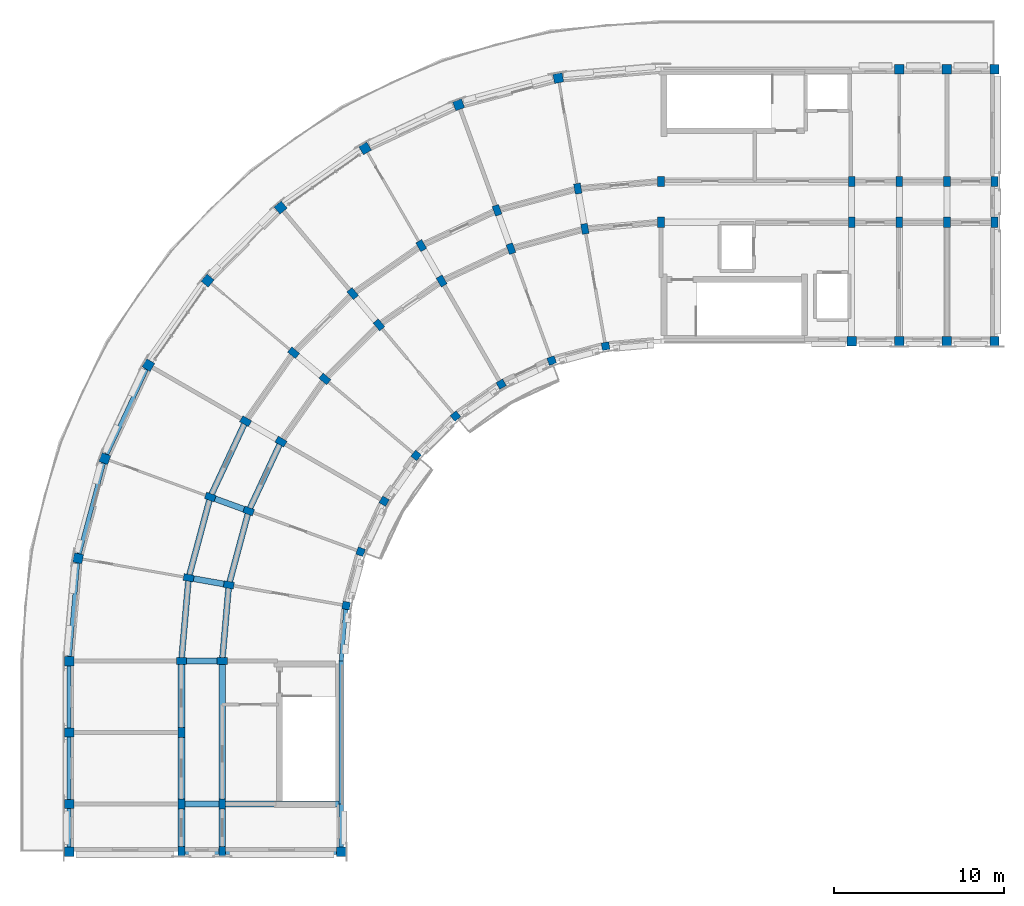
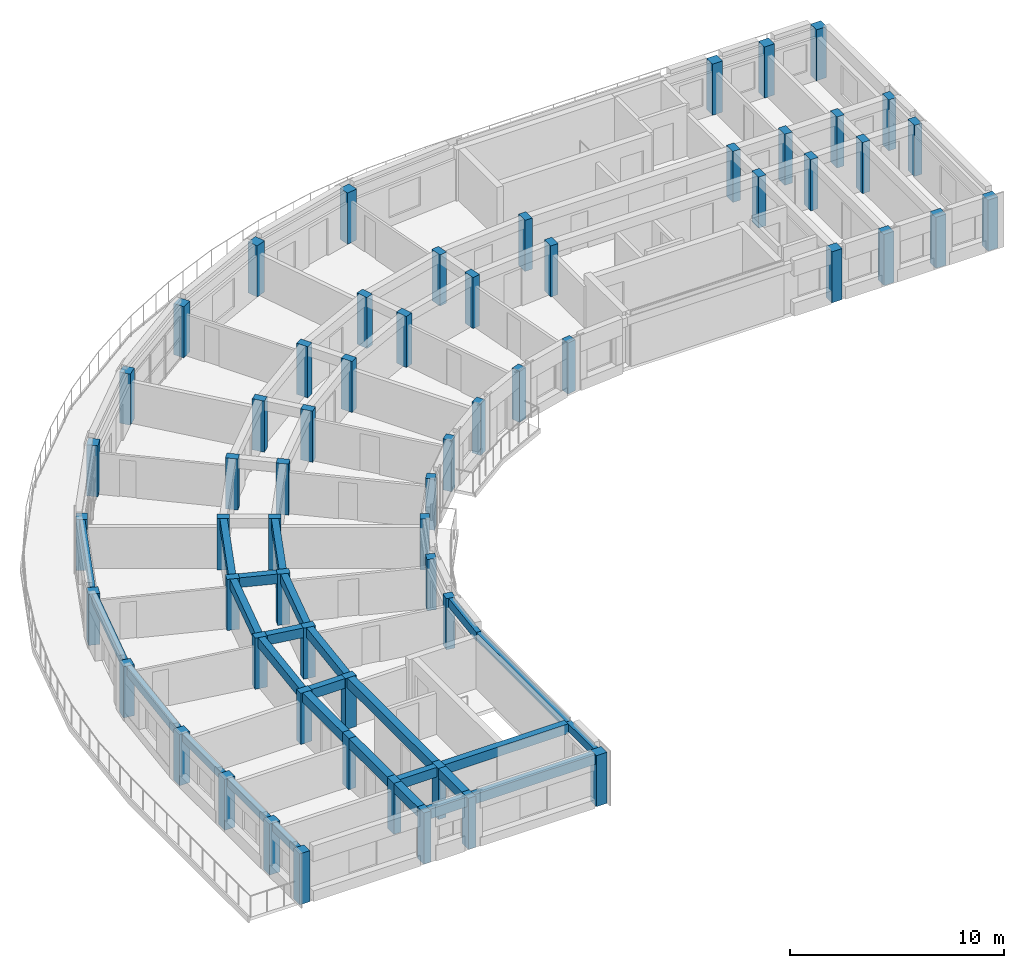
# One storey, part 1 of 14: 61 columns, 27 beams.
"""IFC4 building model written with IfcOpenShell, lengths in metres."""

from ifc_helpers import new_model, si_unit, direction, frame, origin, origin_2d, place, context, subcontext, project, spatial, rectangle, extrude, material, material_profile, profile_set, type_object, element, save


model = new_model("IFC4")

# Units and contexts
model_context = context("Model", 3, precision=1e-05, world=origin(), true_north=direction((0.0, 1.0)))
body_context = subcontext(model_context, "Body", "Model", "MODEL_VIEW")
ifc_project = project(units=[si_unit("LENGTHUNIT", "METRE"), si_unit("AREAUNIT", "SQUARE_METRE"), si_unit("VOLUMEUNIT", "CUBIC_METRE"), si_unit("PLANEANGLEUNIT", "RADIAN"), si_unit("MASSUNIT", "GRAM", prefix="KILO")], contexts=[model_context])

# Site, building, storey
site_placement = place(None, origin())
site = spatial("IfcSite", under=ifc_project, at=site_placement, CompositionType="ELEMENT")
building_placement = place(site_placement, origin())
building = spatial("IfcBuilding", under=site, at=building_placement, Name="Kiranvali Square Residences", CompositionType="ELEMENT")
storey_placement = place(building_placement, frame((0.0, 0.0, 49.64990234375)))
storey = spatial("IfcBuildingStorey", under=building, at=storey_placement, Name="L15", CompositionType="ELEMENT", Elevation=49.64990234375)

# Columns
ifc_material_1 = material(Name="Concrete M40 (40 MPa)", Category="concrete")
ifc_material_profile_1 = material_profile(ifc_material_1, rectangle(XDim=0.449951171875, YDim=0.449951171875, at=origin_2d()), Name="RC 450x450")
ifc_profile_set_1 = profile_set([ifc_material_profile_1], Name="Concrete M40 (40 MPa)")
column_type_1 = type_object("IfcColumnType", Name="COL-M40-450", PredefinedType="COLUMN", material=ifc_profile_set_1)
for number, where, z_axis, x_axis, name in (
    (1, (44.935302734375, 106.314453125, 0.0), (0.0, 0.0, 1.0), (0.984807753012, 0.173648177667, 0.0), "Block A L15 radial column A01-R0"),
    (2, (41.77001953125, 105.46630859375, 0.0), (0.0, 0.0, 1.0), (0.939692620786, 0.342020143326, 0.0), "Block A L15 radial column A02-R0"),
    (3, (38.800048828125, 104.081298828125, 0.0), (0.0, 0.0, 1.0), (0.866025403784, 0.5, 0.0), "Block A L15 radial column A03-R0"),
    (4, (36.115478515625, 102.20166015625, 0.0), (0.0, 0.0, 1.0), (0.766044443119, 0.642787609687, 0.0), "Block A L15 radial column A04-R0"),
    (5, (33.79833984375, 99.884521484375, 0.0), (0.0, 0.0, 1.0), (0.642787609687, 0.766044443119, 0.0), "Block A L15 radial column A05-R0"),
    (6, (31.918701171875, 97.199951171875, 0.0), (0.0, 0.0, 1.0), (0.5, 0.866025403784, 0.0), "Block A L15 radial column A06-R0"),
    (7, (30.53369140625, 94.22998046875, 0.0), (0.0, 0.0, 1.0), (0.342020143326, 0.939692620786, 0.0), "Block A L15 radial column A07-R0"),
    (8, (29.685546875, 91.064697265625, 0.0), (0.0, 0.0, 1.0), (0.173648177667, 0.984807753012, 0.0), "Block A L15 radial column A08-R0"),
):
    element("IfcColumn", number, at=place(storey_placement, frame(where, z_axis=z_axis, x_axis=x_axis)), inside=storey, type_object=column_type_1, Name=name, PredefinedType="COLUMN", context=body_context, shape_type="SweptSolid", body=[
        extrude(rectangle(XDim=0.449951171875, YDim=0.449951171875, at=origin_2d()), origin(), (0.0, 0.0, 1.0), 2.91015625),
    ])
ifc_material_profile_2 = material_profile(ifc_material_1, rectangle(XDim=0.550048828125, YDim=0.550048828125, at=origin_2d()), Name="RC 550x550")
ifc_profile_set_2 = profile_set([ifc_material_profile_2], Name="Concrete M40 (40 MPa)")
column_type_2 = type_object("IfcColumnType", Name="COL-M40-550", PredefinedType="COLUMN", material=ifc_profile_set_2)
for number, where, z_axis, x_axis, name in (
    (9, (42.156982421875, 122.0712890625, 0.0), (0.0, 0.0, 1.0), (0.984807753012, 0.173648177667, 0.0), "Block A L15 radial column A01-R3"),
    (10, (36.297607421875, 120.501220703125, 0.0), (0.0, 0.0, 1.0), (0.939692620786, 0.342020143326, 0.0), "Block A L15 radial column A02-R3"),
    (11, (30.800048828125, 117.937744140625, 0.0), (0.0, 0.0, 1.0), (0.866025403784, 0.5, 0.0), "Block A L15 radial column A03-R3"),
    (12, (25.8310546875, 114.458251953125, 0.0), (0.0, 0.0, 1.0), (0.766044443119, 0.642787609687, 0.0), "Block A L15 radial column A04-R3"),
    (13, (21.541748046875, 110.1689453125, 0.0), (0.0, 0.0, 1.0), (0.642787609687, 0.766044443119, 0.0), "Block A L15 radial column A05-R3"),
    (14, (18.062255859375, 105.199951171875, 0.0), (0.0, 0.0, 1.0), (0.5, 0.866025403784, 0.0), "Block A L15 radial column A06-R3"),
    (15, (15.498779296875, 99.702392578125, 0.0), (0.0, 0.0, 1.0), (0.342020143326, 0.939692620786, 0.0), "Block A L15 radial column A07-R3"),
    (16, (13.9287109375, 93.843017578125, 0.0), (0.0, 0.0, 1.0), (0.173648177667, 0.984807753012, 0.0), "Block A L15 radial column A08-R3"),
    (17, (13.39990234375, 87.800048828125, 0.0), (0.0, 0.0, 1.0), (0.0, 1.0, 0.0), "Block A L15 radial column A09-R3"),
    (18, (59.39990234375, 106.60009765625, 0.0), (0.0, 0.0, 1.0), (1.0, 0.0, 0.0), "Block A L15 Arm 1 column U1-R0"),
    (19, (62.199951171875, 106.60009765625, 0.0), (0.0, 0.0, 1.0), (1.0, 0.0, 0.0), "Block A L15 Arm 1 column U2-R0"),
    (20, (62.199951171875, 122.60009765625, 0.0), (0.0, 0.0, 1.0), (1.0, 0.0, 0.0), "Block A L15 Arm 1 column U2-R3"),
    (21, (65.0, 106.60009765625, 0.0), (0.0, 0.0, 1.0), (1.0, 0.0, 0.0), "Block A L15 Arm 1 column U3-R0"),
    (22, (65.0, 122.60009765625, 0.0), (0.0, 0.0, 1.0), (1.0, 0.0, 0.0), "Block A L15 Arm 1 column U3-R3"),
    (23, (67.800048828125, 106.60009765625, 0.0), (0.0, 0.0, 1.0), (1.0, 0.0, 0.0), "Block A L15 Arm 1 column U4-R0"),
    (24, (67.800048828125, 122.60009765625, 0.0), (0.0, 0.0, 1.0), (1.0, 0.0, 0.0), "Block A L15 Arm 1 column U4-R3"),
    (25, (13.39990234375, 83.60009765625, 0.0), (0.0, 0.0, 1.0), (1.0, 0.0, 0.0), "Block A L15 Arm 2 mid-core column V0-R3"),
    (26, (13.39990234375, 79.39990234375, 0.0), (0.0, 0.0, 1.0), (1.0, 0.0, 0.0), "Block A L15 Arm 2 column V1-R3"),
    (27, (29.39990234375, 76.60009765625, 0.0), (0.0, 0.0, 1.0), (1.0, 0.0, 0.0), "Block A L15 Arm 2 column V2-R0"),
    (28, (13.39990234375, 76.60009765625, 0.0), (0.0, 0.0, 1.0), (1.0, 0.0, 0.0), "Block A L15 Arm 2 column V2-R3"),
):
    element("IfcColumn", number, at=place(storey_placement, frame(where, z_axis=z_axis, x_axis=x_axis)), inside=storey, type_object=column_type_2, Name=name, PredefinedType="COLUMN", context=body_context, shape_type="SweptSolid", body=[
        extrude(rectangle(XDim=0.550048828125, YDim=0.550048828125, at=origin_2d()), origin(), (0.0, 0.0, 1.0), 2.91015625),
    ])
ifc_material_profile_3 = material_profile(ifc_material_1, rectangle(XDim=0.39990234375, YDim=0.60009765625, at=origin_2d()), Name="RC 600x400")
ifc_profile_set_3 = profile_set([ifc_material_profile_3], Name="Concrete M40 (40 MPa)")
column_type_3 = type_object("IfcColumnType", Name="COL-M40-600x400", PredefinedType="COLUMN", material=ifc_profile_set_3)
for number, where, z_axis, x_axis, name in (
    (29, (48.199951171875, 113.60009765625, 0.0), (0.0, 0.0, 1.0), (1.0, 0.0, 0.0), "Block A L15 radial column A00-R1"),
    (30, (48.199951171875, 116.0, 0.0), (0.0, 0.0, 1.0), (1.0, 0.0, 0.0), "Block A L15 radial column A00-R2"),
    (31, (43.719970703125, 113.2080078125, 0.0), (0.0, 0.0, 1.0), (0.984807753012, 0.173648177667, 0.0), "Block A L15 radial column A01-R1"),
    (32, (43.30322265625, 115.571533203125, 0.0), (0.0, 0.0, 1.0), (0.984807753012, 0.173648177667, 0.0), "Block A L15 radial column A01-R2"),
    (33, (39.3759765625, 112.044189453125, 0.0), (0.0, 0.0, 1.0), (0.939692620786, 0.342020143326, 0.0), "Block A L15 radial column A02-R1"),
    (34, (38.554931640625, 114.29931640625, 0.0), (0.0, 0.0, 1.0), (0.939692620786, 0.342020143326, 0.0), "Block A L15 radial column A02-R2"),
    (35, (35.300048828125, 110.1435546875, 0.0), (0.0, 0.0, 1.0), (0.866025403784, 0.5, 0.0), "Block A L15 radial column A03-R1"),
    (36, (34.10009765625, 112.221923828125, 0.0), (0.0, 0.0, 1.0), (0.866025403784, 0.5, 0.0), "Block A L15 radial column A03-R2"),
    (37, (31.615966796875, 107.56396484375, 0.0), (0.0, 0.0, 1.0), (0.766044443119, 0.642787609687, 0.0), "Block A L15 radial column A04-R1"),
    (38, (30.073486328125, 109.40234375, 0.0), (0.0, 0.0, 1.0), (0.766044443119, 0.642787609687, 0.0), "Block A L15 radial column A04-R2"),
    (39, (28.43603515625, 104.384033203125, 0.0), (0.0, 0.0, 1.0), (0.642787609687, 0.766044443119, 0.0), "Block A L15 radial column A05-R1"),
    (40, (26.59765625, 105.926513671875, 0.0), (0.0, 0.0, 1.0), (0.642787609687, 0.766044443119, 0.0), "Block A L15 radial column A05-R2"),
    (41, (25.8564453125, 100.699951171875, 0.0), (0.0, 0.0, 1.0), (0.5, 0.866025403784, 0.0), "Block A L15 radial column A06-R1"),
    (42, (23.778076171875, 101.89990234375, 0.0), (0.0, 0.0, 1.0), (0.5, 0.866025403784, 0.0), "Block A L15 radial column A06-R2"),
    (43, (23.955810546875, 96.6240234375, 0.0), (0.0, 0.0, 1.0), (0.342020143326, 0.939692620786, 0.0), "Block A L15 radial column A07-R1"),
    (44, (21.70068359375, 97.445068359375, 0.0), (0.0, 0.0, 1.0), (0.342020143326, 0.939692620786, 0.0), "Block A L15 radial column A07-R2"),
    (45, (22.7919921875, 92.280029296875, 0.0), (0.0, 0.0, 1.0), (0.173648177667, 0.984807753012, 0.0), "Block A L15 radial column A08-R1"),
    (46, (20.428466796875, 92.69677734375, 0.0), (0.0, 0.0, 1.0), (0.173648177667, 0.984807753012, 0.0), "Block A L15 radial column A08-R2"),
    (47, (22.39990234375, 87.800048828125, 0.0), (0.0, 0.0, 1.0), (0.0, 1.0, 0.0), "Block A L15 radial column A09-R1"),
    (48, (20.0, 87.800048828125, 0.0), (0.0, 0.0, 1.0), (0.0, 1.0, 0.0), "Block A L15 radial column A09-R2"),
    (49, (59.39990234375, 113.60009765625, 0.0), (0.0, 0.0, 1.0), (1.0, 0.0, 0.0), "Block A L15 Arm 1 column U1-R1"),
    (50, (59.39990234375, 116.0, 0.0), (0.0, 0.0, 1.0), (1.0, 0.0, 0.0), "Block A L15 Arm 1 column U1-R2"),
    (51, (62.199951171875, 113.60009765625, 0.0), (0.0, 0.0, 1.0), (1.0, 0.0, 0.0), "Block A L15 Arm 1 column U2-R1"),
    (52, (62.199951171875, 116.0, 0.0), (0.0, 0.0, 1.0), (1.0, 0.0, 0.0), "Block A L15 Arm 1 column U2-R2"),
    (53, (65.0, 113.60009765625, 0.0), (0.0, 0.0, 1.0), (1.0, 0.0, 0.0), "Block A L15 Arm 1 column U3-R1"),
    (54, (65.0, 116.0, 0.0), (0.0, 0.0, 1.0), (1.0, 0.0, 0.0), "Block A L15 Arm 1 column U3-R2"),
    (55, (67.800048828125, 113.60009765625, 0.0), (0.0, 0.0, 1.0), (1.0, 0.0, 0.0), "Block A L15 Arm 1 column U4-R1"),
    (56, (67.800048828125, 116.0, 0.0), (0.0, 0.0, 1.0), (1.0, 0.0, 0.0), "Block A L15 Arm 1 column U4-R2"),
    (57, (20.0, 83.60009765625, 0.0), (0.0, 0.0, 1.0), (1.0, 0.0, 0.0), "Block A L15 Arm 2 mid-core column V0-R2"),
    (58, (22.39990234375, 79.39990234375, 0.0), (0.0, 0.0, 1.0), (1.0, 0.0, 0.0), "Block A L15 Arm 2 column V1-R1"),
    (59, (20.0, 79.39990234375, 0.0), (0.0, 0.0, 1.0), (1.0, 0.0, 0.0), "Block A L15 Arm 2 column V1-R2"),
    (60, (22.39990234375, 76.60009765625, 0.0), (0.0, 0.0, 1.0), (1.0, 0.0, 0.0), "Block A L15 Arm 2 column V2-R1"),
    (61, (20.0, 76.60009765625, 0.0), (0.0, 0.0, 1.0), (1.0, 0.0, 0.0), "Block A L15 Arm 2 column V2-R2"),
):
    element("IfcColumn", number, at=place(storey_placement, frame(where, z_axis=z_axis, x_axis=x_axis)), inside=storey, type_object=column_type_3, Name=name, PredefinedType="COLUMN", context=body_context, shape_type="SweptSolid", body=[
        extrude(rectangle(XDim=0.39990234375, YDim=0.60009765625, at=origin_2d()), origin(), (0.0, 0.0, 1.0), 2.91015625),
    ])

# Beams
ifc_material_profile_4 = material_profile(ifc_material_1, rectangle(XDim=0.35009765625, YDim=0.550048828125, at=origin_2d()), Name="RC 350x550")
ifc_profile_set_4 = profile_set([ifc_material_profile_4], Name="Concrete M40 (40 MPa)")
beam_type_1 = type_object("IfcBeamType", Name="BM-M40-350x550", PredefinedType="BEAM", material=ifc_profile_set_4)
beam_1_placement = place(storey_placement, frame((25.8564453125, 100.699951171875, 2.635009765625), z_axis=(-0.422617978463, -0.906307919131, 0.0), x_axis=(0.906307919131, -0.422617978463, 0.0)))
element("IfcBeam", 62, at=beam_1_placement, inside=storey, type_object=beam_type_1, Name="L15 beam BM-A-L15-C06-R1", PredefinedType="BEAM", context=body_context, shape_type="SweptSolid", body=[
    extrude(rectangle(XDim=0.35009765625, YDim=0.550048828125, at=origin_2d()), origin(), (0.0, 0.0, 1.0), 4.497314453125),
])
beam_2_placement = place(storey_placement, frame((23.778076171875, 101.89990234375, 2.635009765625), z_axis=(-0.422629854778, -0.906302381024, 0.0), x_axis=(0.906302381024, -0.422629854778, 0.0)))
element("IfcBeam", 63, at=beam_2_placement, inside=storey, type_object=beam_type_1, Name="L15 beam BM-A-L15-C06-R2", PredefinedType="BEAM", context=body_context, shape_type="SweptSolid", body=[
    extrude(rectangle(XDim=0.35009765625, YDim=0.550048828125, at=origin_2d()), origin(), (0.0, 0.0, 1.0), 4.915283203125),
])
beam_3_placement = place(storey_placement, frame((23.955810546875, 96.6240234375, 2.635009765625), z_axis=(-0.258787642463, -0.965934240054, 0.0), x_axis=(0.965934240054, -0.258787642463, 0.0)))
element("IfcBeam", 64, at=beam_3_placement, inside=storey, type_object=beam_type_1, Name="L15 beam BM-A-L15-C07-R1", PredefinedType="BEAM", context=body_context, shape_type="SweptSolid", body=[
    extrude(rectangle(XDim=0.35009765625, YDim=0.550048828125, at=origin_2d()), origin(), (0.0, 0.0, 1.0), 4.497314453125),
])
beam_4_placement = place(storey_placement, frame((21.70068359375, 97.445068359375, 2.635009765625), z_axis=(-0.258803112091, -0.965930095386, 0.0), x_axis=(0.965930095386, -0.258803112091, 0.0)))
element("IfcBeam", 65, at=beam_4_placement, inside=storey, type_object=beam_type_1, Name="L15 beam BM-A-L15-C07-R2", PredefinedType="BEAM", context=body_context, shape_type="SweptSolid", body=[
    extrude(rectangle(XDim=0.35009765625, YDim=0.550048828125, at=origin_2d()), origin(), (0.0, 0.0, 1.0), 4.915771484375),
])
beam_5_placement = place(storey_placement, frame((22.7919921875, 92.280029296875, 2.635009765625), z_axis=(-0.087187153726, -0.996191949488, 0.0), x_axis=(0.996191949488, -0.087187153726, 0.0)))
element("IfcBeam", 66, at=beam_5_placement, inside=storey, type_object=beam_type_1, Name="L15 beam BM-A-L15-C08-R1", PredefinedType="BEAM", context=body_context, shape_type="SweptSolid", body=[
    extrude(rectangle(XDim=0.35009765625, YDim=0.550048828125, at=origin_2d()), origin(), (0.0, 0.0, 1.0), 4.4970703125),
])
beam_6_placement = place(storey_placement, frame((20.428466796875, 92.69677734375, 2.635009765625), z_axis=(-0.087167566415, -0.996193663584, 0.0), x_axis=(0.996193663584, -0.087167566415, 0.0)))
element("IfcBeam", 67, at=beam_6_placement, inside=storey, type_object=beam_type_1, Name="L15 beam BM-A-L15-C08-R2", PredefinedType="BEAM", context=body_context, shape_type="SweptSolid", body=[
    extrude(rectangle(XDim=0.35009765625, YDim=0.550048828125, at=origin_2d()), origin(), (0.0, 0.0, 1.0), 4.91552734375),
])
for number, where, z_axis, x_axis, name in (
    (68, (23.955810546875, 96.6240234375, 2.635009765625), (-0.939659694648, 0.342110593602, 0.0), (-0.342110593602, -0.939659694648, 0.0), "L15 beam BM-A-L15-RAD07-12"),
    (69, (22.7919921875, 92.280029296875, 2.635009765625), (-0.984808127031, 0.173646056486, 0.0), (-0.173646056486, -0.984808127031, 0.0), "L15 beam BM-A-L15-RAD08-12"),
    (70, (22.39990234375, 87.800048828125, 2.635009765625), (-1.0, 0.0, 0.0), (0.0, -1.0, 0.0), "L15 beam BM-A-L15-A2T0-12"),
):
    element("IfcBeam", number, at=place(storey_placement, frame(where, z_axis=z_axis, x_axis=x_axis)), inside=storey, type_object=beam_type_1, Name=name, PredefinedType="BEAM", context=body_context, shape_type="SweptSolid", body=[
        extrude(rectangle(XDim=0.35009765625, YDim=0.550048828125, at=origin_2d()), origin(), (0.0, 0.0, 1.0), 2.39990234375),
    ])
beam_7_placement = place(storey_placement, frame((29.39990234375, 79.39990234375, 2.635009765625), z_axis=(-1.0, 0.0, 0.0), x_axis=(0.0, -1.0, 0.0)))
element("IfcBeam", 71, at=beam_7_placement, inside=storey, type_object=beam_type_1, Name="L15 beam BM-A-L15-A2T1-01", PredefinedType="BEAM", context=body_context, shape_type="SweptSolid", body=[
    extrude(rectangle(XDim=0.35009765625, YDim=0.550048828125, at=origin_2d()), origin(), (0.0, 0.0, 1.0), 7.0),
])
beam_8_placement = place(storey_placement, frame((22.39990234375, 79.39990234375, 2.635009765625), z_axis=(-1.0, 0.0, 0.0), x_axis=(0.0, -1.0, 0.0)))
element("IfcBeam", 72, at=beam_8_placement, inside=storey, type_object=beam_type_1, Name="L15 beam BM-A-L15-A2T1-12", PredefinedType="BEAM", context=body_context, shape_type="SweptSolid", body=[
    extrude(rectangle(XDim=0.35009765625, YDim=0.550048828125, at=origin_2d()), origin(), (0.0, 0.0, 1.0), 2.39990234375),
])
beam_9_placement = place(storey_placement, frame((29.39990234375, 76.60009765625, 2.635009765625), z_axis=(-1.0, 0.0, 0.0), x_axis=(0.0, -1.0, 0.0)))
element("IfcBeam", 73, at=beam_9_placement, inside=storey, type_object=beam_type_1, Name="L15 beam BM-A-L15-A2T2-01", PredefinedType="BEAM", context=body_context, shape_type="SweptSolid", body=[
    extrude(rectangle(XDim=0.35009765625, YDim=0.550048828125, at=origin_2d()), origin(), (0.0, 0.0, 1.0), 7.0),
])
beam_10_placement = place(storey_placement, frame((22.39990234375, 76.60009765625, 2.635009765625), z_axis=(-1.0, 0.0, 0.0), x_axis=(0.0, -1.0, 0.0)))
element("IfcBeam", 74, at=beam_10_placement, inside=storey, type_object=beam_type_1, Name="L15 beam BM-A-L15-A2T2-12", PredefinedType="BEAM", context=body_context, shape_type="SweptSolid", body=[
    extrude(rectangle(XDim=0.35009765625, YDim=0.550048828125, at=origin_2d()), origin(), (0.0, 0.0, 1.0), 2.39990234375),
])
ifc_material_2 = material(Name="Concrete M45 (45 MPa)", Category="concrete")
ifc_material_profile_5 = material_profile(ifc_material_2, rectangle(XDim=0.39990234375, YDim=0.550048828125, at=origin_2d()), Name="RC 400x550")
ifc_profile_set_5 = profile_set([ifc_material_profile_5], Name="Concrete M45 (45 MPa)")
beam_type_2 = type_object("IfcBeamType", Name="BM-M45-400x550", PredefinedType="BEAM", material=ifc_profile_set_5)
beam_11_placement = place(storey_placement, frame((22.39990234375, 87.800048828125, 2.635009765625), z_axis=(0.0, -1.0, 0.0), x_axis=(1.0, 0.0, 0.0)))
element("IfcBeam", 75, at=beam_11_placement, inside=storey, type_object=beam_type_2, Name="L15 beam BM-A-L15-A2V0-R1", PredefinedType="BEAM", context=body_context, shape_type="SweptSolid", body=[
    extrude(rectangle(XDim=0.39990234375, YDim=0.550048828125, at=origin_2d()), origin(), (0.0, 0.0, 1.0), 8.400146484375),
])
beam_12_placement = place(storey_placement, frame((22.39990234375, 79.39990234375, 2.635009765625), z_axis=(0.0, -1.0, 0.0), x_axis=(1.0, 0.0, 0.0)))
element("IfcBeam", 76, at=beam_12_placement, inside=storey, type_object=beam_type_2, Name="L15 beam BM-A-L15-A2V1-R1", PredefinedType="BEAM", context=body_context, shape_type="SweptSolid", body=[
    extrude(rectangle(XDim=0.39990234375, YDim=0.550048828125, at=origin_2d()), origin(), (0.0, 0.0, 1.0), 2.7998046875),
])
beam_13_placement = place(storey_placement, frame((20.0, 87.800048828125, 2.635009765625), z_axis=(0.0, -1.0, 0.0), x_axis=(1.0, 0.0, 0.0)))
element("IfcBeam", 77, at=beam_13_placement, inside=storey, type_object=beam_type_2, Name="L15 beam BM-A-L15-A2V0-R2", PredefinedType="BEAM", context=body_context, shape_type="SweptSolid", body=[
    extrude(rectangle(XDim=0.39990234375, YDim=0.550048828125, at=origin_2d()), origin(), (0.0, 0.0, 1.0), 4.199951171875),
])
beam_14_placement = place(storey_placement, frame((20.0, 83.60009765625, 2.635009765625), z_axis=(0.0, -1.0, 0.0), x_axis=(1.0, 0.0, 0.0)))
element("IfcBeam", 78, at=beam_14_placement, inside=storey, type_object=beam_type_2, Name="L15 beam BM-A-L15-A2V1-R2", PredefinedType="BEAM", context=body_context, shape_type="SweptSolid", body=[
    extrude(rectangle(XDim=0.39990234375, YDim=0.550048828125, at=origin_2d()), origin(), (0.0, 0.0, 1.0), 4.2001953125),
])
beam_15_placement = place(storey_placement, frame((20.0, 79.39990234375, 2.635009765625), z_axis=(0.0, -1.0, 0.0), x_axis=(1.0, 0.0, 0.0)))
element("IfcBeam", 79, at=beam_15_placement, inside=storey, type_object=beam_type_2, Name="L15 beam BM-A-L15-A2V2-R2", PredefinedType="BEAM", context=body_context, shape_type="SweptSolid", body=[
    extrude(rectangle(XDim=0.39990234375, YDim=0.550048828125, at=origin_2d()), origin(), (0.0, 0.0, 1.0), 2.7998046875),
])
ifc_material_profile_6 = material_profile(ifc_material_1, rectangle(XDim=0.25, YDim=0.449951171875, at=origin_2d()), Name="RC 250x450")
ifc_profile_set_6 = profile_set([ifc_material_profile_6], Name="Concrete M40 (40 MPa)")
beam_type_3 = type_object("IfcBeamType", Name="SPN-M40-250x450", PredefinedType="SPANDREL", material=ifc_profile_set_6)
beam_16_placement = place(storey_placement, frame((29.39990234375, 87.800048828125, 2.68505859375), z_axis=(0.0, -1.0, 0.0), x_axis=(1.0, 0.0, 0.0)))
element("IfcBeam", 80, at=beam_16_placement, inside=storey, type_object=beam_type_3, Name="L15 beam BM-A-L15-A2V0-R0", PredefinedType="SPANDREL", context=body_context, shape_type="SweptSolid", body=[
    extrude(rectangle(XDim=0.25, YDim=0.449951171875, at=origin_2d()), origin(), (0.0, 0.0, 1.0), 8.400146484375),
])
beam_17_placement = place(storey_placement, frame((29.39990234375, 79.39990234375, 2.68505859375), z_axis=(0.0, -1.0, 0.0), x_axis=(1.0, 0.0, 0.0)))
element("IfcBeam", 81, at=beam_17_placement, inside=storey, type_object=beam_type_3, Name="L15 beam BM-A-L15-A2V1-R0", PredefinedType="SPANDREL", context=body_context, shape_type="SweptSolid", body=[
    extrude(rectangle(XDim=0.25, YDim=0.449951171875, at=origin_2d()), origin(), (0.0, 0.0, 1.0), 2.7998046875),
])
beam_18_placement = place(storey_placement, frame((13.39990234375, 87.800048828125, 2.68505859375), z_axis=(0.0, -1.0, 0.0), x_axis=(1.0, 0.0, 0.0)))
element("IfcBeam", 82, at=beam_18_placement, inside=storey, type_object=beam_type_3, Name="L15 beam BM-A-L15-A2V0-R3", PredefinedType="SPANDREL", context=body_context, shape_type="SweptSolid", body=[
    extrude(rectangle(XDim=0.25, YDim=0.449951171875, at=origin_2d()), origin(), (0.0, 0.0, 1.0), 4.199951171875),
])
beam_19_placement = place(storey_placement, frame((13.39990234375, 83.60009765625, 2.68505859375), z_axis=(0.0, -1.0, 0.0), x_axis=(1.0, 0.0, 0.0)))
element("IfcBeam", 83, at=beam_19_placement, inside=storey, type_object=beam_type_3, Name="L15 beam BM-A-L15-A2V1-R3", PredefinedType="SPANDREL", context=body_context, shape_type="SweptSolid", body=[
    extrude(rectangle(XDim=0.25, YDim=0.449951171875, at=origin_2d()), origin(), (0.0, 0.0, 1.0), 4.2001953125),
])
beam_20_placement = place(storey_placement, frame((13.39990234375, 79.39990234375, 2.68505859375), z_axis=(0.0, -1.0, 0.0), x_axis=(1.0, 0.0, 0.0)))
element("IfcBeam", 84, at=beam_20_placement, inside=storey, type_object=beam_type_3, Name="L15 beam BM-A-L15-A2V2-R3", PredefinedType="SPANDREL", context=body_context, shape_type="SweptSolid", body=[
    extrude(rectangle(XDim=0.25, YDim=0.449951171875, at=origin_2d()), origin(), (0.0, 0.0, 1.0), 2.7998046875),
])
ifc_material_profile_7 = material_profile(ifc_material_1, rectangle(XDim=0.25, YDim=0.5, at=origin_2d()), Name="RC 250x500")
ifc_profile_set_7 = profile_set([ifc_material_profile_7], Name="Concrete M40 (40 MPa)")
beam_type_4 = type_object("IfcBeamType", Name="SPN-M40-250x500", PredefinedType="SPANDREL", material=ifc_profile_set_7)
beam_21_placement = place(storey_placement, frame((29.685546875, 91.064697265625, 2.66015625), z_axis=(-0.087163253657, -0.996194040944, 0.0), x_axis=(0.996194040944, -0.087163253657, 0.0)))
element("IfcBeam", 85, at=beam_21_placement, inside=storey, type_object=beam_type_4, Name="L15 beam BM-A-L15-C08-R0", PredefinedType="SPANDREL", context=body_context, shape_type="SweptSolid", body=[
    extrude(rectangle(XDim=0.25, YDim=0.5, at=origin_2d()), origin(), (0.0, 0.0, 1.0), 3.277099609375),
])
ifc_material_profile_8 = material_profile(ifc_material_1, rectangle(XDim=0.25, YDim=0.550048828125, at=origin_2d()), Name="RC 250x550")
ifc_profile_set_8 = profile_set([ifc_material_profile_8], Name="Concrete M40 (40 MPa)")
beam_type_5 = type_object("IfcBeamType", Name="SPN-M40-250x550", PredefinedType="SPANDREL", material=ifc_profile_set_8)
beam_22_placement = place(storey_placement, frame((18.062255859375, 105.199951171875, 2.635009765625), z_axis=(-0.42260781991, -0.906312656069, 0.0), x_axis=(0.906312656069, -0.42260781991, 0.0)))
element("IfcBeam", 86, at=beam_22_placement, inside=storey, type_object=beam_type_5, Name="L15 beam BM-A-L15-C06-R3", PredefinedType="SPANDREL", context=body_context, shape_type="SweptSolid", body=[
    extrude(rectangle(XDim=0.25, YDim=0.550048828125, at=origin_2d()), origin(), (0.0, 0.0, 1.0), 6.06591796875),
])
for number, where, z_axis, x_axis, name in (
    (87, (15.498779296875, 99.702392578125, 2.635009765625), (-0.258827283048, -0.965923618901, 0.0), (0.965923618901, -0.258827283048, 0.0), "L15 beam BM-A-L15-C07-R3"),
    (88, (13.9287109375, 93.843017578125, 2.635009765625), (-0.087174938512, -0.996193018494, 0.0), (0.996193018494, -0.087174938512, 0.0), "L15 beam BM-A-L15-C08-R3"),
):
    element("IfcBeam", number, at=place(storey_placement, frame(where, z_axis=z_axis, x_axis=x_axis)), inside=storey, type_object=beam_type_5, Name=name, PredefinedType="SPANDREL", context=body_context, shape_type="SweptSolid", body=[
        extrude(rectangle(XDim=0.25, YDim=0.550048828125, at=origin_2d()), origin(), (0.0, 0.0, 1.0), 6.066162109375),
    ])

save(model, "model.ifc")
